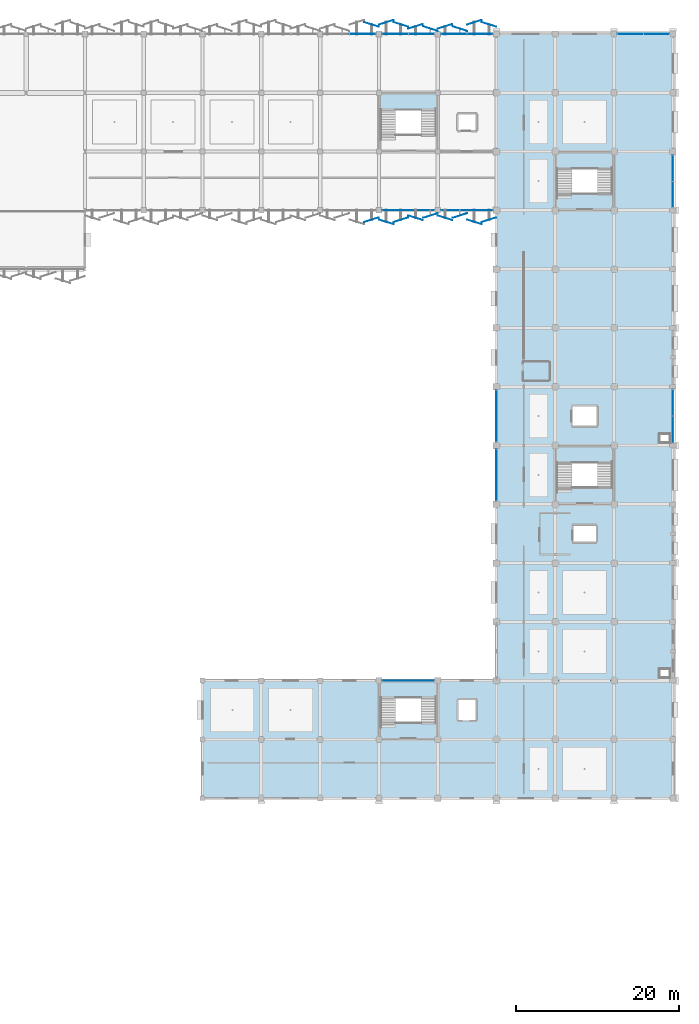
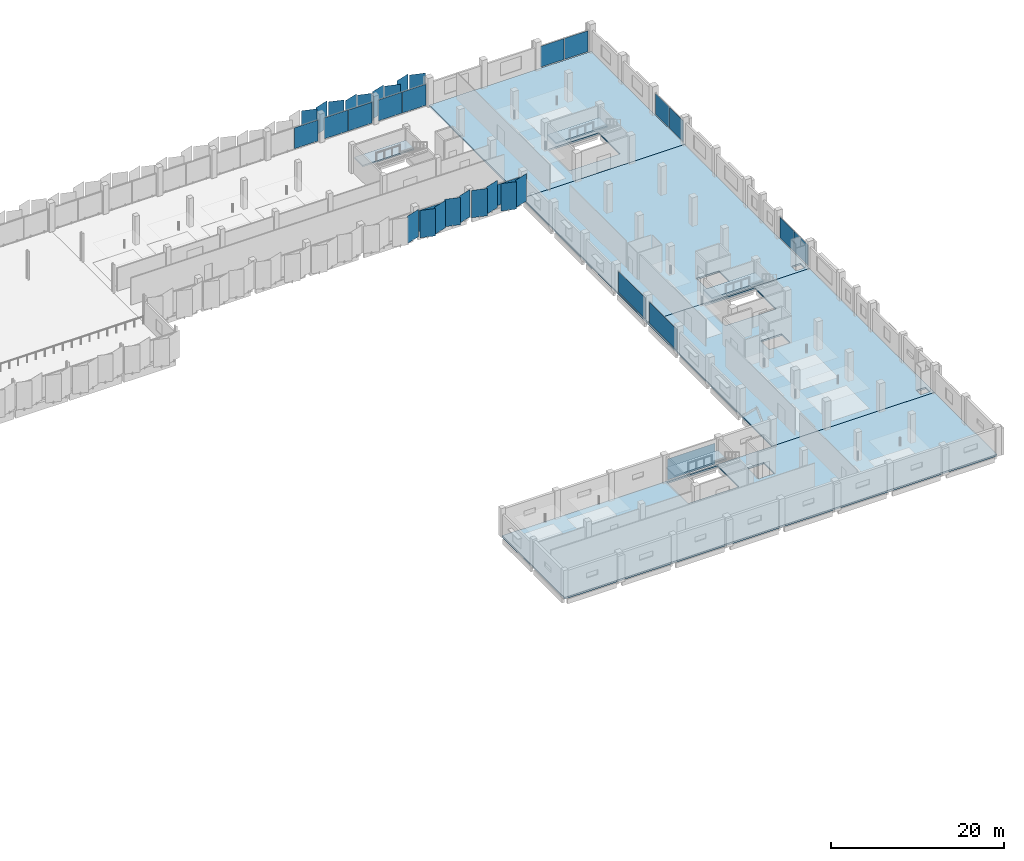
# One storey, part 73 of 107: 34 plates, 8 slabs, 15 elements without a shape of their own.
"""IFC4 building model written with IfcOpenShell, lengths in metres."""

from ifc_helpers import new_model, si_unit, direction, frame, origin, origin_2d, place, context, subcontext, project, spatial, polyline, rectangle, outline, extrude, material, layer, layer_set, type_object, element, aggregate, save


model = new_model("IFC4")

# Units and contexts
model_context = context("Model", 3, precision=1e-05, world=origin(), true_north=direction((0.0, 1.0)))
body_context = subcontext(model_context, "Body", "Model", "MODEL_VIEW")
ifc_project = project(units=[si_unit("LENGTHUNIT", "METRE"), si_unit("AREAUNIT", "SQUARE_METRE"), si_unit("VOLUMEUNIT", "CUBIC_METRE"), si_unit("PLANEANGLEUNIT", "RADIAN"), si_unit("MASSUNIT", "GRAM", prefix="KILO")], contexts=[model_context])

# Site, building, storey
site_placement = place(None, origin())
site = spatial("IfcSite", under=ifc_project, at=site_placement, CompositionType="ELEMENT")
building_placement = place(site_placement, origin())
building = spatial("IfcBuilding", under=site, at=building_placement, Name="Kangsadwip Square Police Headquarters", CompositionType="ELEMENT")
storey_placement = place(building_placement, frame((0.0, 0.0, 5.39990234375)))
storey = spatial("IfcBuildingStorey", under=building, at=storey_placement, Name="L01", CompositionType="ELEMENT", Elevation=5.39990234375)

# Curtain wall, plate
ifc_material_1 = material(Name="Thermally broken anodised aluminium AW-6063-T6", Category="aluminium")
ifc_layer_1 = layer(ifc_material_1, 0.159912109375)
ifc_layer_set_1 = layer_set([ifc_layer_1], Name="Thermally broken anodised aluminium AW-6063-T6")
curtain_wall_type_1 = type_object("IfcCurtainWallType", Name="CourtScreen6460x3200", PredefinedType="USERDEFINED", material=ifc_layer_set_1)
curtain_wall_1_placement = place(storey_placement, origin())
curtain_wall_1 = element("IfcCurtainWall", 1, at=curtain_wall_1_placement, inside=storey, type_object=curtain_wall_type_1, Name="Curtain Wall CW-L01-1300-0360", ObjectType="GLAZED_SCREEN", PredefinedType="USERDEFINED")
ifc_material_2 = material(Name="Double-glazed solar-control low-E safety glass", Category="glass")
ifc_layer_2 = layer(ifc_material_2, 0.02392578125)
ifc_layer_set_2 = layer_set([ifc_layer_2], Name="Double-glazed solar-control low-E safety glass")
plate_type_1 = type_object("IfcPlateType", Name="CwCourtVisionPanel24", PredefinedType="CURTAIN_PANEL", material=ifc_layer_set_2)
plate_1_placement = place(storey_placement, frame((133.199951171875, 36.0, 0.1201171875), z_axis=(0.0, 0.0, 1.0), x_axis=(1.0, 0.0, 0.0)))
plate_1 = element("IfcPlate", 2, at=plate_1_placement, type_object=plate_type_1, Name="CW-16 panel 1.1", PredefinedType="CURTAIN_PANEL", context=body_context, shape_type="SweptSolid", body=[
    extrude(rectangle(XDim=6.340087890625, YDim=0.02392578125, at=origin_2d()), origin(), (0.0, 0.0, 1.0), 2.9599609375),
])
aggregate(curtain_wall_1, [plate_1])

ifc_material_3 = material(Name="Thermally broken anodised aluminium AW-6063-T6", Category="aluminium")
ifc_layer_3 = layer(ifc_material_3, 0.159912109375)
ifc_layer_set_3 = layer_set([ifc_layer_3], Name="Thermally broken anodised aluminium AW-6063-T6")
curtain_wall_type_2 = type_object("IfcCurtainWallType", Name="CourtScreen6510x3200", PredefinedType="USERDEFINED", material=ifc_layer_set_3)
curtain_wall_2_placement = place(storey_placement, origin())
curtain_wall_2 = element("IfcCurtainWall", 3, at=curtain_wall_2_placement, inside=storey, type_object=curtain_wall_type_2, Name="Curtain Wall CW-L01-1299-0936", ObjectType="GLAZED_SCREEN", PredefinedType="USERDEFINED")
plate_2_placement = place(storey_placement, frame((133.199951171875, 93.60009765625, 0.1201171875), z_axis=(0.0, 0.0, 1.0), x_axis=(1.0, 0.0, 0.0)))
plate_2 = element("IfcPlate", 4, at=plate_2_placement, type_object=plate_type_1, Name="CW-19 panel 1.1", PredefinedType="CURTAIN_PANEL", context=body_context, shape_type="SweptSolid", body=[
    extrude(rectangle(XDim=6.389892578125, YDim=0.02392578125, at=origin_2d()), origin(), (0.0, 0.0, 1.0), 2.9599609375),
])
aggregate(curtain_wall_2, [plate_2])

curtain_wall_3_placement = place(storey_placement, origin())
curtain_wall_3 = element("IfcCurtainWall", 5, at=curtain_wall_3_placement, inside=storey, type_object=curtain_wall_type_1, Name="Curtain Wall CW-L01-1371-0936", ObjectType="GLAZED_SCREEN", PredefinedType="USERDEFINED")
plate_3_placement = place(storey_placement, frame((140.375, 93.60009765625, 0.1201171875), z_axis=(0.0, 0.0, 1.0), x_axis=(1.0, 0.0, 0.0)))
plate_3 = element("IfcPlate", 6, at=plate_3_placement, type_object=plate_type_1, Name="CW-16 panel 1.1", PredefinedType="CURTAIN_PANEL", context=body_context, shape_type="SweptSolid", body=[
    extrude(rectangle(XDim=6.340087890625, YDim=0.02392578125, at=origin_2d()), origin(), (0.0, 0.0, 1.0), 2.9599609375),
])
aggregate(curtain_wall_3, [plate_3])

ifc_material_4 = material(Name="Thermally broken anodised aluminium AW-6063-T6", Category="aluminium")
ifc_layer_4 = layer(ifc_material_4, 0.159912109375)
ifc_layer_set_4 = layer_set([ifc_layer_4], Name="Thermally broken anodised aluminium AW-6063-T6")
curtain_wall_type_3 = type_object("IfcCurtainWallType", Name="CourtScreen6410x3200", PredefinedType="USERDEFINED", material=ifc_layer_set_4)
curtain_wall_4_placement = place(storey_placement, origin())
curtain_wall_4 = element("IfcCurtainWall", 7, at=curtain_wall_4_placement, inside=storey, type_object=curtain_wall_type_3, Name="Curtain Wall CW-L01-1440-0580", ObjectType="GLAZED_SCREEN", PredefinedType="USERDEFINED")
plate_4_placement = place(storey_placement, frame((144.0, 61.199951171875, 0.1201171875), z_axis=(0.0, 0.0, 1.0), x_axis=(0.0, 1.0, 0.0)))
plate_4 = element("IfcPlate", 8, at=plate_4_placement, type_object=plate_type_1, Name="CW-30 panel 1.1", PredefinedType="CURTAIN_PANEL", context=body_context, shape_type="SweptSolid", body=[
    extrude(rectangle(XDim=6.2900390625, YDim=0.02392578125, at=origin_2d()), origin(), (0.0, 0.0, 1.0), 2.9599609375),
])
aggregate(curtain_wall_4, [plate_4])

curtain_wall_5_placement = place(storey_placement, origin())
curtain_wall_5 = element("IfcCurtainWall", 9, at=curtain_wall_5_placement, inside=storey, type_object=curtain_wall_type_3, Name="Curtain Wall CW-L01-1440-0652", ObjectType="GLAZED_SCREEN", PredefinedType="USERDEFINED")
plate_5_placement = place(storey_placement, frame((144.0, 68.39990234375, 0.1201171875), z_axis=(0.0, 0.0, 1.0), x_axis=(0.0, 1.0, 0.0)))
plate_5 = element("IfcPlate", 10, at=plate_5_placement, type_object=plate_type_1, Name="CW-30 panel 1.1", PredefinedType="CURTAIN_PANEL", context=body_context, shape_type="SweptSolid", body=[
    extrude(rectangle(XDim=6.2900390625, YDim=0.02392578125, at=origin_2d()), origin(), (0.0, 0.0, 1.0), 2.9599609375),
])
aggregate(curtain_wall_5, [plate_5])

# Curtain wall, plates
ifc_material_5 = material(Name="Thermally broken anodised aluminium AW-6063-T6", Category="aluminium")
ifc_layer_5 = layer(ifc_material_5, 0.159912109375)
ifc_layer_set_5 = layer_set([ifc_layer_5], Name="Thermally broken anodised aluminium AW-6063-T6")
curtain_wall_type_4 = type_object("IfcCurtainWallType", Name="UnitisedCw6510x3200", PredefinedType="NOTDEFINED", material=ifc_layer_set_5)
curtain_wall_6_placement = place(storey_placement, origin())
curtain_wall_6 = element("IfcCurtainWall", 11, at=curtain_wall_6_placement, inside=storey, type_object=curtain_wall_type_4, Name="Curtain Wall CW-L01-1299-1152", PredefinedType="NOTDEFINED")
ifc_material_6 = material(Name="Double-glazed solar-control low-E safety glass", Category="glass")
ifc_layer_6 = layer(ifc_material_6, 0.028076171875)
ifc_layer_set_6 = layer_set([ifc_layer_6], Name="Double-glazed solar-control low-E safety glass")
plate_type_2 = type_object("IfcPlateType", Name="CwSolarVisionPanel28", PredefinedType="CURTAIN_PANEL", material=ifc_layer_set_6)
plate_6_placement = place(storey_placement, frame((131.5888671875, 115.199951171875, 0.130126953125), z_axis=(0.0, 0.0, 1.0), x_axis=(1.0, 0.0, 0.0)))
plate_6 = element("IfcPlate", 12, at=plate_6_placement, type_object=plate_type_2, Name="CW-24 panel 1.1", PredefinedType="CURTAIN_PANEL", context=body_context, shape_type="SweptSolid", body=[
    extrude(rectangle(XDim=3.157470703125, YDim=0.028076171875, at=origin_2d()), origin(), (0.0, 0.0, 1.0), 2.93994140625),
])
plate_7_placement = place(storey_placement, frame((134.811279296875, 115.199951171875, 0.130126953125), z_axis=(0.0, 0.0, 1.0), x_axis=(1.0, 0.0, 0.0)))
plate_7 = element("IfcPlate", 13, at=plate_7_placement, type_object=plate_type_2, Name="CW-24 panel 2.1", PredefinedType="CURTAIN_PANEL", context=body_context, shape_type="SweptSolid", body=[
    extrude(rectangle(XDim=3.157470703125, YDim=0.028076171875, at=origin_2d()), origin(), (0.0, 0.0, 1.0), 2.93994140625),
])
aggregate(curtain_wall_6, [plate_6, plate_7])

ifc_material_7 = material(Name="Thermally broken anodised aluminium AW-6063-T6", Category="aluminium")
ifc_layer_7 = layer(ifc_material_7, 0.159912109375)
ifc_layer_set_7 = layer_set([ifc_layer_7], Name="Thermally broken anodised aluminium AW-6063-T6")
curtain_wall_type_5 = type_object("IfcCurtainWallType", Name="UnitisedCw6485x3200", PredefinedType="NOTDEFINED", material=ifc_layer_set_7)
curtain_wall_7_placement = place(storey_placement, origin())
curtain_wall_7 = element("IfcCurtainWall", 14, at=curtain_wall_7_placement, inside=storey, type_object=curtain_wall_type_5, Name="Curtain Wall CW-L01-1371-1152", PredefinedType="NOTDEFINED")
plate_8_placement = place(storey_placement, frame((138.782470703125, 115.199951171875, 0.130126953125), z_axis=(0.0, 0.0, 1.0), x_axis=(1.0, 0.0, 0.0)))
plate_8 = element("IfcPlate", 15, at=plate_8_placement, type_object=plate_type_2, Name="CW-25 panel 1.1", PredefinedType="CURTAIN_PANEL", context=body_context, shape_type="SweptSolid", body=[
    extrude(rectangle(XDim=3.14501953125, YDim=0.028076171875, at=origin_2d()), origin(), (0.0, 0.0, 1.0), 2.93994140625),
])
plate_9_placement = place(storey_placement, frame((141.992431640625, 115.199951171875, 0.130126953125), z_axis=(0.0, 0.0, 1.0), x_axis=(1.0, 0.0, 0.0)))
plate_9 = element("IfcPlate", 16, at=plate_9_placement, type_object=plate_type_2, Name="CW-25 panel 2.1", PredefinedType="CURTAIN_PANEL", context=body_context, shape_type="SweptSolid", body=[
    extrude(rectangle(XDim=3.14501953125, YDim=0.028076171875, at=origin_2d()), origin(), (0.0, 0.0, 1.0), 2.93994140625),
])
aggregate(curtain_wall_7, [plate_8, plate_9])

ifc_material_8 = material(Name="Thermally broken anodised aluminium AW-6063-T6", Category="aluminium")
ifc_layer_8 = layer(ifc_material_8, 0.159912109375)
ifc_layer_set_8 = layer_set([ifc_layer_8], Name="Thermally broken anodised aluminium AW-6063-T6")
curtain_wall_type_6 = type_object("IfcCurtainWallType", Name="UnitisedCw6460x3200", PredefinedType="NOTDEFINED", material=ifc_layer_set_8)
curtain_wall_8_placement = place(storey_placement, origin())
curtain_wall_8 = element("IfcCurtainWall", 17, at=curtain_wall_8_placement, inside=storey, type_object=curtain_wall_type_6, Name="Curtain Wall CW-L01-1588-1152", PredefinedType="NOTDEFINED")
plate_10_placement = place(storey_placement, frame((160.4013671875, 115.199951171875, 0.130126953125), z_axis=(0.0, 0.0, 1.0), x_axis=(1.0, 0.0, 0.0)))
plate_10 = element("IfcPlate", 18, at=plate_10_placement, type_object=plate_type_2, Name="CW-26 panel 1.1", PredefinedType="CURTAIN_PANEL", context=body_context, shape_type="SweptSolid", body=[
    extrude(rectangle(XDim=3.132568359375, YDim=0.028076171875, at=origin_2d()), origin(), (0.0, 0.0, 1.0), 2.93994140625),
])
plate_11_placement = place(storey_placement, frame((163.5986328125, 115.199951171875, 0.130126953125), z_axis=(0.0, 0.0, 1.0), x_axis=(1.0, 0.0, 0.0)))
plate_11 = element("IfcPlate", 19, at=plate_11_placement, type_object=plate_type_2, Name="CW-26 panel 2.1", PredefinedType="CURTAIN_PANEL", context=body_context, shape_type="SweptSolid", body=[
    extrude(rectangle(XDim=3.132568359375, YDim=0.028076171875, at=origin_2d()), origin(), (0.0, 0.0, 1.0), 2.93994140625),
])
aggregate(curtain_wall_8, [plate_10, plate_11])

ifc_material_9 = material(Name="Thermally broken anodised aluminium AW-6063-T6", Category="aluminium")
ifc_layer_9 = layer(ifc_material_9, 0.159912109375)
ifc_layer_set_9 = layer_set([ifc_layer_9], Name="Thermally broken anodised aluminium AW-6063-T6")
curtain_wall_type_7 = type_object("IfcCurtainWallType", Name="UnitisedCw6610x3200", PredefinedType="NOTDEFINED", material=ifc_layer_set_9)
curtain_wall_9_placement = place(storey_placement, origin())
curtain_wall_9 = element("IfcCurtainWall", 20, at=curtain_wall_9_placement, inside=storey, type_object=curtain_wall_type_7, Name="Curtain Wall CW-L01-1656-0651", PredefinedType="NOTDEFINED")
plate_12_placement = place(storey_placement, frame((165.60009765625, 66.763671875, 0.130126953125), z_axis=(0.0, 0.0, 1.0), x_axis=(0.0, 1.0, 0.0)))
plate_12 = element("IfcPlate", 21, at=plate_12_placement, type_object=plate_type_2, Name="CW-28 panel 1.1", PredefinedType="CURTAIN_PANEL", context=body_context, shape_type="SweptSolid", body=[
    extrude(rectangle(XDim=3.20751953125, YDim=0.028076171875, at=origin_2d()), origin(), (0.0, 0.0, 1.0), 2.93994140625),
])
plate_13_placement = place(storey_placement, frame((165.60009765625, 70.0361328125, 0.130126953125), z_axis=(0.0, 0.0, 1.0), x_axis=(0.0, 1.0, 0.0)))
plate_13 = element("IfcPlate", 22, at=plate_13_placement, type_object=plate_type_2, Name="CW-28 panel 2.1", PredefinedType="CURTAIN_PANEL", context=body_context, shape_type="SweptSolid", body=[
    extrude(rectangle(XDim=3.20751953125, YDim=0.028076171875, at=origin_2d()), origin(), (0.0, 0.0, 1.0), 2.93994140625),
])
aggregate(curtain_wall_9, [plate_12, plate_13])

curtain_wall_10_placement = place(storey_placement, origin())
curtain_wall_10 = element("IfcCurtainWall", 23, at=curtain_wall_10_placement, inside=storey, type_object=curtain_wall_type_4, Name="Curtain Wall CW-L01-1656-0939", PredefinedType="NOTDEFINED")
plate_14_placement = place(storey_placement, frame((165.60009765625, 95.538818359375, 0.130126953125), z_axis=(0.0, 0.0, 1.0), x_axis=(0.0, 1.0, 0.0)))
plate_14 = element("IfcPlate", 24, at=plate_14_placement, type_object=plate_type_2, Name="CW-24 panel 1.1", PredefinedType="CURTAIN_PANEL", context=body_context, shape_type="SweptSolid", body=[
    extrude(rectangle(XDim=3.157470703125, YDim=0.028076171875, at=origin_2d()), origin(), (0.0, 0.0, 1.0), 2.93994140625),
])
plate_15_placement = place(storey_placement, frame((165.60009765625, 98.76123046875, 0.130126953125), z_axis=(0.0, 0.0, 1.0), x_axis=(0.0, 1.0, 0.0)))
plate_15 = element("IfcPlate", 25, at=plate_15_placement, type_object=plate_type_2, Name="CW-24 panel 2.1", PredefinedType="CURTAIN_PANEL", context=body_context, shape_type="SweptSolid", body=[
    extrude(rectangle(XDim=3.157470703125, YDim=0.028076171875, at=origin_2d()), origin(), (0.0, 0.0, 1.0), 2.93994140625),
])
aggregate(curtain_wall_10, [plate_14, plate_15])

# Curtain wall, plate
curtain_wall_11_placement = place(storey_placement, origin())
curtain_wall_11 = element("IfcCurtainWall", 26, at=curtain_wall_11_placement, inside=storey, type_object=curtain_wall_type_4, Name="Curtain Wall CW-L01-1227-1152", PredefinedType="NOTDEFINED")
ifc_material_10 = material(Name="Insulated ceramic-fritted spandrel safety glass", Category="glass")
ifc_layer_10 = layer(ifc_material_10, 0.0400390625)
ifc_layer_set_10 = layer_set([ifc_layer_10], Name="Insulated ceramic-fritted spandrel safety glass")
plate_type_3 = type_object("IfcPlateType", Name="CwSpandrelSheetPanel40", PredefinedType="SHEET", material=ifc_layer_set_10)
plate_16_placement = place(storey_placement, frame((127.611328125, 115.199951171875, 0.130126953125), z_axis=(0.0, 0.0, 1.0), x_axis=(1.0, 0.0, 0.0)))
plate_16 = element("IfcPlate", 27, at=plate_16_placement, type_object=plate_type_3, Name="CW-24 panel 2.1", PredefinedType="SHEET", context=body_context, shape_type="SweptSolid", body=[
    extrude(rectangle(XDim=3.157470703125, YDim=0.0400390625, at=origin_2d()), origin(), (0.0, 0.0, 1.0), 2.93994140625),
])
aggregate(curtain_wall_11, [plate_16])

# Slabs
ifc_material_11 = material(Name="Concrete M35 (35 MPa)", Category="concrete")
ifc_layer_11 = layer(ifc_material_11, 0.239990234375)
ifc_layer_set_11 = layer_set([ifc_layer_11], Name="Concrete M35 (35 MPa)")
slab_type_1 = type_object("IfcSlabType", Name="MainFloorSlab240", PredefinedType="FLOOR", material=ifc_layer_set_11)
slab_1_placement = place(storey_placement, frame((0.0, 0.0, -0.239990234375)))
element("IfcSlab", 28, at=slab_1_placement, inside=storey, type_object=slab_type_1, Name="L01 Vol6N Slab SL-L01-022", PredefinedType="FLOOR", context=body_context, shape_type="SweptSolid", body=[
    extrude(outline(polyline([(144.0, 93.60009765625), (144.0, 115.199951171875), (165.60009765625, 115.199951171875), (165.60009765625, 93.60009765625), (144.0, 93.60009765625)]), holes=[polyline([(158.179931640625, 95.679931640625), (158.179931640625, 100.580078125), (151.419921875, 100.580078125), (151.419921875, 95.679931640625), (158.179931640625, 95.679931640625)])]), origin(), (0.0, 0.0, 1.0), 0.239990234375),
])
slab_2_placement = place(storey_placement, frame((0.0, 0.0, -0.239990234375)))
element("IfcSlab", 29, at=slab_2_placement, inside=storey, type_object=slab_type_1, Name="L01 Vol6S Slab SL-L01-025", PredefinedType="FLOOR", context=body_context, shape_type="SweptSolid", body=[
    extrude(outline(polyline([(144.0, 36.0), (144.0, 64.800048828125), (165.60009765625, 64.800048828125), (165.60009765625, 36.0), (144.0, 36.0)]), holes=[polyline([(165.199951171875, 37.39990234375), (164.0, 37.39990234375), (164.0, 36.39990234375), (165.199951171875, 36.39990234375), (165.199951171875, 37.39990234375)]), polyline([(156.199951171875, 53.0), (156.199951171875, 55.0), (153.39990234375, 55.0), (153.39990234375, 53.0), (156.199951171875, 53.0)]), polyline([(151.419921875, 59.679931640625), (158.179931640625, 59.679931640625), (158.179931640625, 64.580078125), (151.419921875, 64.580078125), (151.419921875, 59.679931640625)])]), origin(), (0.0, 0.0, 1.0), 0.239990234375),
])
slab_3_placement = place(storey_placement, frame((0.0, 0.0, -0.239990234375)))
element("IfcSlab", 30, at=slab_3_placement, inside=storey, type_object=slab_type_1, Name="L01 Vol6N Slab SL-L01-026", PredefinedType="FLOOR", context=body_context, shape_type="SweptSolid", body=[
    extrude(outline(polyline([(144.0, 64.800048828125), (144.0, 93.60009765625), (165.60009765625, 93.60009765625), (165.60009765625, 64.800048828125), (144.0, 64.800048828125)]), holes=[polyline([(165.199951171875, 66.199951171875), (164.0, 66.199951171875), (164.0, 65.199951171875), (165.199951171875, 65.199951171875), (165.199951171875, 66.199951171875)]), polyline([(156.300048828125, 69.60009765625), (153.300048828125, 69.60009765625), (153.300048828125, 67.199951171875), (156.300048828125, 67.199951171875), (156.300048828125, 69.60009765625)])]), origin(), (0.0, 0.0, 1.0), 0.239990234375),
])
slab_4_placement = place(storey_placement, frame((0.0, 0.0, -0.239990234375)))
element("IfcSlab", 31, at=slab_4_placement, inside=storey, type_object=slab_type_1, Name="L01 Vol7 Slab SL-L01-029", PredefinedType="FLOOR", context=body_context, shape_type="SweptSolid", body=[
    extrude(outline(polyline([(108.0, 21.60009765625), (108.0, 36.0), (165.60009765625, 36.0), (165.60009765625, 21.60009765625), (108.0, 21.60009765625)]), holes=[polyline([(141.47509765625, 33.64990234375), (139.324951171875, 33.64990234375), (139.324951171875, 31.14990234375), (141.47509765625, 31.14990234375), (141.47509765625, 33.64990234375)]), polyline([(136.580078125, 30.8798828125), (136.580078125, 35.780029296875), (129.820068359375, 35.780029296875), (129.820068359375, 30.8798828125), (136.580078125, 30.8798828125)])]), origin(), (0.0, 0.0, 1.0), 0.239990234375),
])

# Plates
ifc_material_12 = material(Name="PVDF-coated perforated marine-grade aluminium AW-5052-H32", Category="aluminium")
ifc_layer_12 = layer(ifc_material_12, 0.006103515625)
ifc_layer_set_12 = layer_set([ifc_layer_12], Name="PVDF-coated perforated marine-grade aluminium AW-5052-H32")
plate_type_4 = type_object("IfcPlateType", Name="PleatedVeilFacet2", PredefinedType="USERDEFINED", material=ifc_layer_set_12)
for number, where, z_axis, x_axis, name in (
    (32, (128.699951171875, 116.3544921875, 0.1201171875), (0.0, 0.0, 1.0), (0.953716950748, -0.300705799504, 0.0), "Pleated Perforated Veil Facet PVF-L01-0076"),
    (33, (130.5, 116.634521484375, 0.1201171875), (0.0, 0.0, 1.0), (0.953716950748, 0.300705799504, 0.0), "Pleated Perforated Veil Facet PVF-L01-0077"),
    (34, (132.300048828125, 116.3544921875, 0.1201171875), (0.0, 0.0, 1.0), (0.953716950748, -0.300705799504, 0.0), "Pleated Perforated Veil Facet PVF-L01-0078"),
    (35, (134.10009765625, 116.12548828125, 0.1201171875), (0.0, 0.0, 1.0), (0.953716950748, 0.300705799504, 0.0), "Pleated Perforated Veil Facet PVF-L01-0079"),
    (36, (135.89990234375, 115.845458984375, 0.1201171875), (0.0, 0.0, 1.0), (0.953716950748, -0.300705799504, 0.0), "Pleated Perforated Veil Facet PVF-L01-0080"),
    (37, (137.699951171875, 116.12548828125, 0.1201171875), (0.0, 0.0, 1.0), (0.953716950748, 0.300705799504, 0.0), "Pleated Perforated Veil Facet PVF-L01-0081"),
    (38, (139.5, 115.845458984375, 0.1201171875), (0.0, 0.0, 1.0), (0.953716950748, -0.300705799504, 0.0), "Pleated Perforated Veil Facet PVF-L01-0082"),
    (39, (141.300048828125, 116.634521484375, 0.1201171875), (0.0, 0.0, 1.0), (0.953716950748, 0.300705799504, 0.0), "Pleated Perforated Veil Facet PVF-L01-0083"),
    (40, (143.10009765625, 116.3544921875, 0.1201171875), (0.0, 0.0, 1.0), (0.953716950748, -0.300705799504, 0.0), "Pleated Perforated Veil Facet PVF-L01-0084"),
    (41, (128.699951171875, 92.4453125, 0.1201171875), (0.0, 0.0, 1.0), (0.953716950748, 0.300705799504, 0.0), "Pleated Perforated Veil Facet PVF-L01-0272"),
    (42, (130.5, 92.165283203125, 0.1201171875), (0.0, 0.0, 1.0), (0.953716950748, -0.300705799504, 0.0), "Pleated Perforated Veil Facet PVF-L01-0273"),
    (43, (132.300048828125, 92.4453125, 0.1201171875), (0.0, 0.0, 1.0), (0.953716950748, 0.300705799504, 0.0), "Pleated Perforated Veil Facet PVF-L01-0274"),
    (44, (134.10009765625, 92.674560546875, 0.1201171875), (0.0, 0.0, 1.0), (0.953716950748, -0.300705799504, 0.0), "Pleated Perforated Veil Facet PVF-L01-0275"),
    (45, (135.89990234375, 92.95458984375, 0.1201171875), (0.0, 0.0, 1.0), (0.953716950748, 0.300705799504, 0.0), "Pleated Perforated Veil Facet PVF-L01-0276"),
    (46, (137.699951171875, 92.674560546875, 0.1201171875), (0.0, 0.0, 1.0), (0.953716950748, -0.300705799504, 0.0), "Pleated Perforated Veil Facet PVF-L01-0277"),
    (47, (139.5, 92.95458984375, 0.1201171875), (0.0, 0.0, 1.0), (0.953716950748, 0.300705799504, 0.0), "Pleated Perforated Veil Facet PVF-L01-0278"),
    (48, (141.300048828125, 92.165283203125, 0.1201171875), (0.0, 0.0, 1.0), (0.953716950748, -0.300705799504, 0.0), "Pleated Perforated Veil Facet PVF-L01-0279"),
    (49, (143.10009765625, 92.4453125, 0.1201171875), (0.0, 0.0, 1.0), (0.953716950748, 0.300705799504, 0.0), "Pleated Perforated Veil Facet PVF-L01-0280"),
):
    element("IfcPlate", number, at=place(storey_placement, frame(where, z_axis=z_axis, x_axis=x_axis)), inside=storey, type_object=plate_type_4, Name=name, ObjectType="VEIL_FACET", PredefinedType="USERDEFINED", context=body_context, shape_type="SweptSolid", body=[
        extrude(rectangle(XDim=1.860107421875, YDim=0.006103515625, at=origin_2d()), origin(), (0.0, 0.0, 1.0), 3.860107421875),
    ])

# Stair, slab
ifc_material_13 = material(Name="Concrete M35 (35 MPa)", Category="concrete")
stair_type = type_object("IfcStairType", Name="Stair2FlightTypW1850", PredefinedType="HALF_TURN_STAIR", material=ifc_material_13)
stair_1_placement = place(storey_placement, origin())
stair_1 = element("IfcStair", 50, at=stair_1_placement, inside=storey, type_object=stair_type, Name="Protected Stair ST-03 L01", PredefinedType="HALF_TURN_STAIR")
ifc_material_14 = material(Name="Concrete M35 (35 MPa)", Category="concrete")
ifc_layer_13 = layer(ifc_material_14, 0.199951171875)
ifc_layer_set_13 = layer_set([ifc_layer_13], Name="Concrete M35 (35 MPa)")
slab_type_2 = type_object("IfcSlabType", Name="StairLandingSlab200", PredefinedType="LANDING", material=ifc_layer_set_13)
slab_5_placement = place(storey_placement, frame((0.0, 0.0, 1.906005859375)))
slab_5 = element("IfcSlab", 51, at=slab_5_placement, type_object=slab_type_2, Name="ST-03 landing 1", PredefinedType="LANDING", context=body_context, shape_type="SweptSolid", body=[
    extrude(outline(polyline([(151.3701171875, 62.679931640625), (158.22998046875, 62.679931640625), (158.22998046875, 64.6298828125), (151.3701171875, 64.6298828125), (151.3701171875, 62.679931640625)])), origin(), (0.0, 0.0, 1.0), 0.2001953125),
])
aggregate(stair_1, [slab_5])

stair_2_placement = place(storey_placement, origin())
stair_2 = element("IfcStair", 52, at=stair_2_placement, inside=storey, type_object=stair_type, Name="Protected Stair ST-04 L01", PredefinedType="HALF_TURN_STAIR")
slab_6_placement = place(storey_placement, frame((0.0, 0.0, 1.906005859375)))
slab_6 = element("IfcSlab", 53, at=slab_6_placement, type_object=slab_type_2, Name="ST-04 landing 1", PredefinedType="LANDING", context=body_context, shape_type="SweptSolid", body=[
    extrude(outline(polyline([(151.3701171875, 98.679931640625), (158.22998046875, 98.679931640625), (158.22998046875, 100.6298828125), (151.3701171875, 100.6298828125), (151.3701171875, 98.679931640625)])), origin(), (0.0, 0.0, 1.0), 0.2001953125),
])
aggregate(stair_2, [slab_6])

stair_3_placement = place(storey_placement, origin())
stair_3 = element("IfcStair", 54, at=stair_3_placement, inside=storey, type_object=stair_type, Name="Protected Stair ST-05 L01", PredefinedType="HALF_TURN_STAIR")
slab_7_placement = place(storey_placement, frame((0.0, 0.0, 1.906005859375)))
slab_7 = element("IfcSlab", 55, at=slab_7_placement, type_object=slab_type_2, Name="ST-05 landing 1", PredefinedType="LANDING", context=body_context, shape_type="SweptSolid", body=[
    extrude(outline(polyline([(129.77001953125, 105.8798828125), (136.6298828125, 105.8798828125), (136.6298828125, 107.830078125), (129.77001953125, 107.830078125), (129.77001953125, 105.8798828125)])), origin(), (0.0, 0.0, 1.0), 0.2001953125),
])
aggregate(stair_3, [slab_7])

stair_4_placement = place(storey_placement, origin())
stair_4 = element("IfcStair", 56, at=stair_4_placement, inside=storey, type_object=stair_type, Name="Protected Stair ST-06 L01", PredefinedType="HALF_TURN_STAIR")
slab_8_placement = place(storey_placement, frame((0.0, 0.0, 1.906005859375)))
slab_8 = element("IfcSlab", 57, at=slab_8_placement, type_object=slab_type_2, Name="ST-06 landing 1", PredefinedType="LANDING", context=body_context, shape_type="SweptSolid", body=[
    extrude(outline(polyline([(129.77001953125, 33.8798828125), (136.6298828125, 33.8798828125), (136.6298828125, 35.830078125), (129.77001953125, 35.830078125), (129.77001953125, 33.8798828125)])), origin(), (0.0, 0.0, 1.0), 0.2001953125),
])
aggregate(stair_4, [slab_8])

save(model, "model.ifc")
